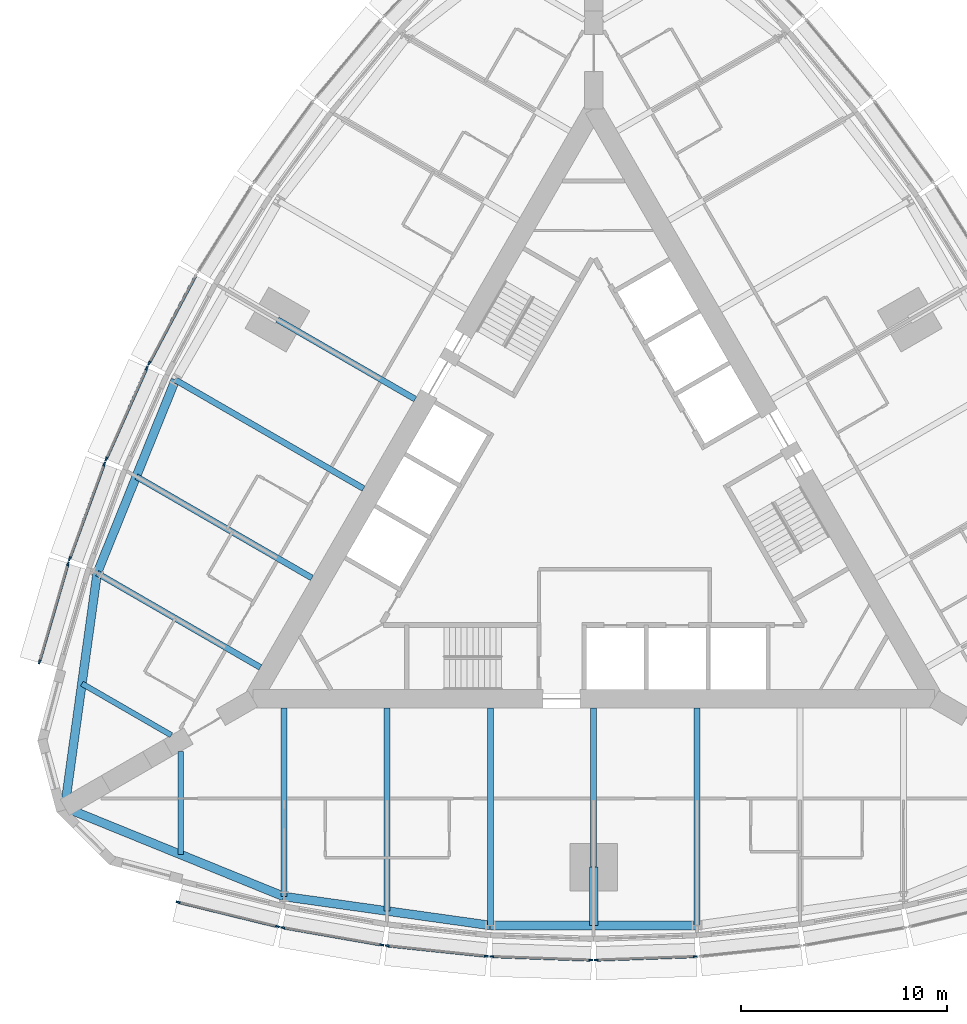
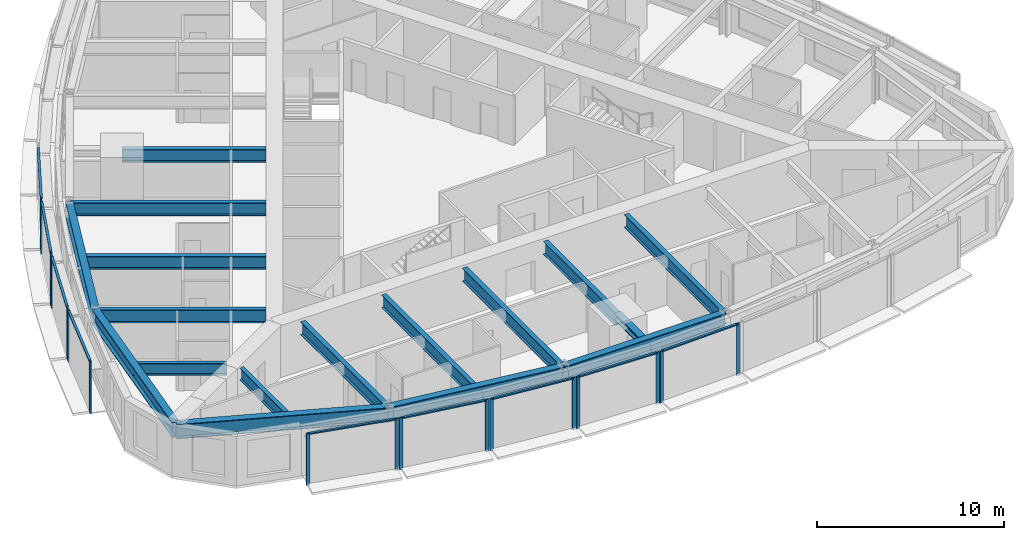
# One storey, part 2 of 14: 26 members, 17 beams, 9 elements without a shape of their own.
"""IFC4 building model written with IfcOpenShell, lengths in metres."""

import ifcopenshell
import ifcopenshell.guid

model = None  # the IFC model being written
_history = None  # IfcOwnerHistory: only IFC2X3 demands one
_inside = {}  # id of a spatial element -> (the spatial element, [elements in it])
_under = {}  # id of a project, library or spatial element -> (it, [spatial elements below it])
_declared = {}  # id of a project -> (the project, [libraries it declares])
_typed = {}  # id of a type object -> (the type object, [elements of that type])
_made_of = {}  # id of a material, layer set ... -> (it, [elements and type objects made of it])


def new_model(schema):
    """Start an empty IFC model of exactly this schema.

    Asked for "IFC4X3", IfcOpenShell would pick the latest addendum, in which some entities
    have other attributes; the version numbers below select the first issue.
    IFC2X3 requires an IfcOwnerHistory on every rooted entity: one is made here for all.
    """
    global model, _history
    if schema == "IFC4X3":
        model = ifcopenshell.file(schema_version=(4, 3, 0, 0))
    else:
        model = ifcopenshell.file(schema=schema)
    _inside.clear()
    _under.clear()
    _declared.clear()
    _typed.clear()
    _made_of.clear()
    _history = None
    if model.schema == "IFC2X3":
        org = make("IfcOrganization", Name="unknown")
        user = make(
            "IfcPersonAndOrganization",
            ThePerson=make("IfcPerson", FamilyName="unknown"),
            TheOrganization=org,
        )
        app = make(
            "IfcApplication",
            ApplicationDeveloper=org,
            Version="unknown",
            ApplicationFullName="unknown",
            ApplicationIdentifier="unknown",
        )
        _history = make(
            "IfcOwnerHistory",
            OwningUser=user,
            OwningApplication=app,
            ChangeAction="ADDED",
            CreationDate=0,
        )
    return model


def make(cls, **values):
    """One entity of the class cls with the attributes given. An attribute that is None is left unset."""
    return model.create_entity(
        cls, **{name: value for name, value in values.items() if value is not None}
    )


def rooted(cls, **values):
    """An entity with a GlobalId (a new one), such as an element, a storey or a relation."""
    return make(cls, GlobalId=ifcopenshell.guid.new(), OwnerHistory=_history, **values)


def si_unit(unit_type, name, prefix=None):
    """IfcSIUnit, for example si_unit("LENGTHUNIT", "METRE", prefix="MILLI")."""
    return make("IfcSIUnit", UnitType=unit_type, Prefix=prefix, Name=name)


def assignment(units):
    """IfcUnitAssignment: the units of a project."""
    return None if units is None else make("IfcUnitAssignment", Units=units)


def point(xyz):
    """IfcCartesianPoint."""
    return None if xyz is None else make("IfcCartesianPoint", Coordinates=xyz)


def direction(xyz):
    """IfcDirection."""
    return None if xyz is None else make("IfcDirection", DirectionRatios=xyz)


def frame(location, z_axis=None, x_axis=None):
    """IfcAxis2Placement3D, a coordinate frame: its origin and axes. An axis left out is left unset."""
    return make(
        "IfcAxis2Placement3D",
        Location=point(location),
        Axis=direction(z_axis),
        RefDirection=direction(x_axis),
    )


def frame_2d(location, x_axis=None):
    """IfcAxis2Placement2D, a coordinate frame in the plane: its origin and x axis."""
    return make(
        "IfcAxis2Placement2D", Location=point(location), RefDirection=direction(x_axis)
    )


def origin():
    """The frame at (0, 0, 0) with its axes left unset."""
    return frame((0.0, 0.0, 0.0))


def origin_2d():
    """The frame at (0, 0) in the plane with its x axis left unset."""
    return frame_2d((0.0, 0.0))


def place(relative_to, where):
    """IfcLocalPlacement: puts the frame where relative to a parent placement (None: the world)."""
    return make(
        "IfcLocalPlacement", PlacementRelTo=relative_to, RelativePlacement=where
    )


def context(
    kind, dimensions, precision=None, world=None, true_north=None, identifier=None
):
    """IfcGeometricRepresentationContext, for example the 3D "Model" context."""
    return make(
        "IfcGeometricRepresentationContext",
        ContextIdentifier=identifier,
        ContextType=kind,
        CoordinateSpaceDimension=dimensions,
        Precision=precision,
        WorldCoordinateSystem=world,
        TrueNorth=true_north,
    )


def subcontext(parent, identifier, kind, view, scale=None):
    """IfcGeometricRepresentationSubContext, for example "Body" below "Model"."""
    return make(
        "IfcGeometricRepresentationSubContext",
        ContextIdentifier=identifier,
        ContextType=kind,
        ParentContext=parent,
        TargetScale=scale,
        TargetView=view,
    )


def project(units=None, contexts=None):
    """IfcProject with its units and contexts."""
    return rooted(
        "IfcProject",
        Name="project",
        RepresentationContexts=contexts,
        UnitsInContext=assignment(units),
    )


def spatial(cls, under=None, at=None, **own):
    """A site, building, storey or space (cls), placed at a placement, below another one or the project."""
    s = rooted(cls, ObjectPlacement=at, **own)
    if under is not None:
        _under.setdefault(under.id(), (under, []))[1].append(s)
    return s


def profile(cls, at=None, kind="AREA", **sizes):
    """A parametric profile (cls). Its sizes go by their IFC names, for example OverallWidth=200.0."""
    return make(cls, ProfileType=kind, Position=at, **sizes)


def rectangle(**sizes):
    """IfcRectangleProfileDef."""
    return profile("IfcRectangleProfileDef", **sizes)


def i_section(**sizes):
    """IfcIShapeProfileDef."""
    return profile("IfcIShapeProfileDef", **sizes)


def extrude(swept, where, along, depth):
    """IfcExtrudedAreaSolid: the profile swept, set in the frame where, extruded along a direction by depth."""
    return make(
        "IfcExtrudedAreaSolid",
        SweptArea=swept,
        Position=where,
        ExtrudedDirection=direction(along),
        Depth=depth,
    )


def shape(context_of_items, identifier, shape_type, items):
    """IfcShapeRepresentation: the items that make up one representation, for example the "Body"."""
    return make(
        "IfcShapeRepresentation",
        ContextOfItems=context_of_items,
        RepresentationIdentifier=identifier,
        RepresentationType=shape_type,
        Items=items,
    )


def material(Name=None, Category=None):
    """IfcMaterial."""
    return make("IfcMaterial", Name=Name, Category=Category)


def material_profile(
    of_material, cross_section, Name=None, Category=None, Priority=None
):
    """IfcMaterialProfile: a cross section and its material."""
    return make(
        "IfcMaterialProfile",
        Name=Name,
        Material=of_material,
        Profile=cross_section,
        Priority=Priority,
        Category=Category,
    )


def profile_set(profiles, Name=None, composite=None):
    """IfcMaterialProfileSet."""
    return make(
        "IfcMaterialProfileSet",
        Name=Name,
        MaterialProfiles=profiles,
        CompositeProfile=composite,
    )


def made_of(thing, what):
    """Note that an element or type object is made of a material, layer set ...; save() writes the relation."""
    if what is not None:
        _made_of.setdefault(what.id(), (what, []))[1].append(thing)
    return thing


def type_object(cls, material=None, **own):
    """A type object (cls), such as IfcWallType, which elements share."""
    return made_of(rooted(cls, **own), material)


def element(
    cls,
    number,
    at=None,
    inside=None,
    cuts=None,
    type_object=None,
    material=None,
    context=None,
    identifier="Body",
    shape_type=None,
    held_by="IfcProductDefinitionShape",
    body=None,
    shapes=None,
    **own,
):
    """One element of the class cls, such as IfcWall. Its Tag is "e" and its number.

    at: its placement. inside: the storey or other place that contains it. cuts: it is an
    opening in that element (IfcRelVoidsElement). A single representation is given by context,
    identifier, shape_type and body (its items); several are given by shapes. held_by: the class
    of the entity that holds the representations. save() writes the other relations.
    """
    e = rooted(cls, Tag="e%d" % number, ObjectPlacement=at, **own)
    if body is not None:
        shapes = [shape(context, identifier, shape_type, body)]
    if shapes is not None:
        e.Representation = make(held_by, Representations=shapes)
    if inside is not None:
        _inside.setdefault(inside.id(), (inside, []))[1].append(e)
    if cuts is not None:
        rooted(
            "IfcRelVoidsElement", RelatingBuildingElement=cuts, RelatedOpeningElement=e
        )
    if type_object is not None:
        _typed.setdefault(type_object.id(), (type_object, []))[1].append(e)
    return made_of(e, material)


def aggregate(whole, parts):
    """IfcRelAggregates: a whole, such as a stair, and the parts it consists of."""
    return rooted("IfcRelAggregates", RelatingObject=whole, RelatedObjects=parts)


def save(model, path):
    """Write the relations noted so far, then the file.

    IfcRelAggregates (storeys below a building ...), IfcRelContainedInSpatialStructure (elements
    in a storey), IfcRelDefinesByType, IfcRelAssociatesMaterial and IfcRelDeclares: one each for
    every whole, place, type object, material and project.
    """
    for whole, parts in _under.values():
        aggregate(whole, parts)
    for where, things in _inside.values():
        rooted(
            "IfcRelContainedInSpatialStructure",
            RelatedElements=things,
            RelatingStructure=where,
        )
    for kind, things in _typed.values():
        rooted("IfcRelDefinesByType", RelatedObjects=things, RelatingType=kind)
    for what, things in _made_of.values():
        rooted("IfcRelAssociatesMaterial", RelatedObjects=things, RelatingMaterial=what)
    for by, libraries in _declared.values():
        rooted("IfcRelDeclares", RelatingContext=by, RelatedDefinitions=libraries)
    model.write(path)


model = new_model("IFC4")

# Units and contexts
model_context = context("Model", 3, precision=1e-05, world=origin(), true_north=direction((0.0, 1.0)))
body_context = subcontext(model_context, "Body", "Model", "MODEL_VIEW")
ifc_project = project(units=[si_unit("LENGTHUNIT", "METRE"), si_unit("AREAUNIT", "SQUARE_METRE"), si_unit("VOLUMEUNIT", "CUBIC_METRE"), si_unit("PLANEANGLEUNIT", "RADIAN"), si_unit("MASSUNIT", "GRAM", prefix="KILO")], contexts=[model_context])

# Site, building, storey
site_placement = place(None, origin())
site = spatial("IfcSite", under=ifc_project, at=site_placement, CompositionType="ELEMENT")
building_placement = place(site_placement, origin())
building = spatial("IfcBuilding", under=site, at=building_placement, Name="Trikona Tower", CompositionType="ELEMENT")
storey_placement = place(building_placement, frame((0.0, 0.0, 162.300048828125)))
storey = spatial("IfcBuildingStorey", under=building, at=storey_placement, Name="L43", CompositionType="ELEMENT", Elevation=162.300048828125)

# Curtain wall, members
ifc_material_1 = material(Name="Aluminium curtain wall system", Category="aluminium")
curtain_wall_type = type_object("IfcCurtainWallType", Name="Curtain wall DS2", PredefinedType="NOTDEFINED", material=ifc_material_1)
curtain_wall_1_placement = place(storey_placement, origin())
curtain_wall_1 = element("IfcCurtainWall", 1, at=curtain_wall_1_placement, inside=storey, type_object=curtain_wall_type, Name="Curtain wall DS2 L43", PredefinedType="NOTDEFINED")
ifc_material_2 = material(Name="Aluminium mullion, pale anodised", Category="aluminium")
ifc_material_profile_1 = material_profile(ifc_material_2, rectangle(XDim=0.080078125, YDim=0.199951171875, at=origin_2d()), Name="MUL-DS2")
ifc_profile_set_1 = profile_set([ifc_material_profile_1], Name="Aluminium mullion, pale anodised")
member_type_1 = type_object("IfcMemberType", Name="Mullion DS2 80x200", PredefinedType="MULLION", material=ifc_profile_set_1)
member_1_placement = place(storey_placement, frame((-20.116943359375, -19.373046875, 0.0), z_axis=(0.0, 0.0, 1.0), x_axis=(0.237970204243, 0.971272455026, 0.0)))
member_1 = element("IfcMember", 2, at=member_1_placement, type_object=member_type_1, Name="CW-DS2 mullion 1", PredefinedType="MULLION", context=body_context, shape_type="SweptSolid", body=[
    extrude(rectangle(XDim=0.080078125, YDim=0.199951171875, at=origin_2d()), origin(), (0.0, 0.0, 1.0), 3.39990234375),
])
member_2_placement = place(storey_placement, frame((-15.311279296875, -20.550537109375, 0.0), z_axis=(0.0, 0.0, 1.0), x_axis=(0.237970204243, 0.971272455026, 0.0)))
member_2 = element("IfcMember", 3, at=member_2_placement, type_object=member_type_1, Name="CW-DS2 mullion 2", PredefinedType="MULLION", context=body_context, shape_type="SweptSolid", body=[
    extrude(rectangle(XDim=0.080078125, YDim=0.199951171875, at=origin_2d()), origin(), (0.0, 0.0, 1.0), 3.39990234375),
])

curtain_wall_2_placement = place(storey_placement, origin())
curtain_wall_2 = element("IfcCurtainWall", 4, at=curtain_wall_2_placement, inside=storey, type_object=curtain_wall_type, Name="Curtain wall DS2 L43", PredefinedType="NOTDEFINED")
member_3_placement = place(storey_placement, frame((-15.056640625, -20.60400390625, 0.0), z_axis=(0.0, 0.0, 1.0), x_axis=(0.17237739505, 0.985030981074, 0.0)))
member_3 = element("IfcMember", 5, at=member_3_placement, type_object=member_type_1, Name="CW-DS2 mullion 1", PredefinedType="MULLION", context=body_context, shape_type="SweptSolid", body=[
    extrude(rectangle(XDim=0.080078125, YDim=0.199951171875, at=origin_2d()), origin(), (0.0, 0.0, 1.0), 3.39990234375),
])
member_4_placement = place(storey_placement, frame((-10.253662109375, -21.444580078125, 0.0), z_axis=(0.0, 0.0, 1.0), x_axis=(0.17237739505, 0.985030981074, 0.0)))
member_4 = element("IfcMember", 6, at=member_4_placement, type_object=member_type_1, Name="CW-DS2 mullion 2", PredefinedType="MULLION", context=body_context, shape_type="SweptSolid", body=[
    extrude(rectangle(XDim=0.080078125, YDim=0.199951171875, at=origin_2d()), origin(), (0.0, 0.0, 1.0), 3.39990234375),
])

curtain_wall_3_placement = place(storey_placement, origin())
curtain_wall_3 = element("IfcCurtainWall", 7, at=curtain_wall_3_placement, inside=storey, type_object=curtain_wall_type, Name="Curtain wall DS2 L43", PredefinedType="NOTDEFINED")
member_5_placement = place(storey_placement, frame((-9.99462890625, -21.480712890625, 0.0), z_axis=(0.0, 0.0, 1.0), x_axis=(0.104433387357, 0.994531883654, 0.0)))
member_5 = element("IfcMember", 8, at=member_5_placement, type_object=member_type_1, Name="CW-DS2 mullion 1", PredefinedType="MULLION", context=body_context, shape_type="SweptSolid", body=[
    extrude(rectangle(XDim=0.080078125, YDim=0.199951171875, at=origin_2d()), origin(), (0.0, 0.0, 1.0), 3.39990234375),
])
member_6_placement = place(storey_placement, frame((-5.193359375, -21.98486328125, 0.0), z_axis=(0.0, 0.0, 1.0), x_axis=(0.104433387357, 0.994531883654, 0.0)))
member_6 = element("IfcMember", 9, at=member_6_placement, type_object=member_type_1, Name="CW-DS2 mullion 2", PredefinedType="MULLION", context=body_context, shape_type="SweptSolid", body=[
    extrude(rectangle(XDim=0.080078125, YDim=0.199951171875, at=origin_2d()), origin(), (0.0, 0.0, 1.0), 3.39990234375),
])

curtain_wall_4_placement = place(storey_placement, origin())
curtain_wall_4 = element("IfcCurtainWall", 10, at=curtain_wall_4_placement, inside=storey, type_object=curtain_wall_type, Name="Curtain wall DS2 L43", PredefinedType="NOTDEFINED")
member_7_placement = place(storey_placement, frame((-4.931640625, -22.003173828125, 0.0), z_axis=(0.0, 0.0, 1.0), x_axis=(0.034998320052, 0.99938737114, 0.0)))
member_7 = element("IfcMember", 11, at=member_7_placement, type_object=member_type_1, Name="CW-DS2 mullion 1", PredefinedType="MULLION", context=body_context, shape_type="SweptSolid", body=[
    extrude(rectangle(XDim=0.080078125, YDim=0.199951171875, at=origin_2d()), origin(), (0.0, 0.0, 1.0), 3.39990234375),
])
member_8_placement = place(storey_placement, frame((-0.13134765625, -22.171142578125, 0.0), z_axis=(0.0, 0.0, 1.0), x_axis=(0.034998320052, 0.99938737114, 0.0)))
member_8 = element("IfcMember", 12, at=member_8_placement, type_object=member_type_1, Name="CW-DS2 mullion 2", PredefinedType="MULLION", context=body_context, shape_type="SweptSolid", body=[
    extrude(rectangle(XDim=0.080078125, YDim=0.199951171875, at=origin_2d()), origin(), (0.0, 0.0, 1.0), 3.39990234375),
])

curtain_wall_5_placement = place(storey_placement, origin())
curtain_wall_5 = element("IfcCurtainWall", 13, at=curtain_wall_5_placement, inside=storey, type_object=curtain_wall_type, Name="Curtain wall DS2 L43", PredefinedType="NOTDEFINED")
member_9_placement = place(storey_placement, frame((0.13134765625, -22.171142578125, 0.0), z_axis=(0.0, 0.0, 1.0), x_axis=(-0.034998320052, 0.99938737114, 0.0)))
member_9 = element("IfcMember", 14, at=member_9_placement, type_object=member_type_1, Name="CW-DS2 mullion 1", PredefinedType="MULLION", context=body_context, shape_type="SweptSolid", body=[
    extrude(rectangle(XDim=0.080078125, YDim=0.199951171875, at=origin_2d()), origin(), (0.0, 0.0, 1.0), 3.39990234375),
])
member_10_placement = place(storey_placement, frame((4.931640625, -22.003173828125, 0.0), z_axis=(0.0, 0.0, 1.0), x_axis=(-0.034998320052, 0.99938737114, 0.0)))
member_10 = element("IfcMember", 15, at=member_10_placement, type_object=member_type_1, Name="CW-DS2 mullion 2", PredefinedType="MULLION", context=body_context, shape_type="SweptSolid", body=[
    extrude(rectangle(XDim=0.080078125, YDim=0.199951171875, at=origin_2d()), origin(), (0.0, 0.0, 1.0), 3.39990234375),
])

# Curtain wall, member
curtain_wall_6_placement = place(storey_placement, origin())
curtain_wall_6 = element("IfcCurtainWall", 16, at=curtain_wall_6_placement, inside=storey, type_object=curtain_wall_type, Name="Curtain wall DS2 L43", PredefinedType="NOTDEFINED")
member_11_placement = place(storey_placement, frame((-21.52099609375, 6.730712890625, 0.0), z_axis=(0.0, 0.0, 1.0), x_axis=(0.882996107343, -0.469380308937, 0.0)))
member_11 = element("IfcMember", 17, at=member_11_placement, type_object=member_type_1, Name="CW-DS2 mullion 2", PredefinedType="MULLION", context=body_context, shape_type="SweptSolid", body=[
    extrude(rectangle(XDim=0.080078125, YDim=0.199951171875, at=origin_2d()), origin(), (0.0, 0.0, 1.0), 3.39990234375),
])

# Curtain wall, members
curtain_wall_7_placement = place(storey_placement, origin())
curtain_wall_7 = element("IfcCurtainWall", 18, at=curtain_wall_7_placement, inside=storey, type_object=curtain_wall_type, Name="Curtain wall DS2 L43", PredefinedType="NOTDEFINED")
member_12_placement = place(storey_placement, frame((-21.63623046875, 6.494873046875, 0.0), z_axis=(0.0, 0.0, 1.0), x_axis=(0.913501208767, -0.406836013132, 0.0)))
member_12 = element("IfcMember", 19, at=member_12_placement, type_object=member_type_1, Name="CW-DS2 mullion 1", PredefinedType="MULLION", context=body_context, shape_type="SweptSolid", body=[
    extrude(rectangle(XDim=0.080078125, YDim=0.199951171875, at=origin_2d()), origin(), (0.0, 0.0, 1.0), 3.39990234375),
])
member_13_placement = place(storey_placement, frame((-23.60009765625, 2.0849609375, 0.0), z_axis=(0.0, 0.0, 1.0), x_axis=(0.913501208767, -0.406836013132, 0.0)))
member_13 = element("IfcMember", 20, at=member_13_placement, type_object=member_type_1, Name="CW-DS2 mullion 2", PredefinedType="MULLION", context=body_context, shape_type="SweptSolid", body=[
    extrude(rectangle(XDim=0.080078125, YDim=0.199951171875, at=origin_2d()), origin(), (0.0, 0.0, 1.0), 3.39990234375),
])

curtain_wall_8_placement = place(storey_placement, origin())
curtain_wall_8 = element("IfcCurtainWall", 21, at=curtain_wall_8_placement, inside=storey, type_object=curtain_wall_type, Name="Curtain wall DS2 L43", PredefinedType="NOTDEFINED")
member_14_placement = place(storey_placement, frame((-23.6982421875, 1.84228515625, 0.0), z_axis=(0.0, 0.0, 1.0), x_axis=(0.939253790978, -0.343223420143, 0.0)))
member_14 = element("IfcMember", 22, at=member_14_placement, type_object=member_type_1, Name="CW-DS2 mullion 1", PredefinedType="MULLION", context=body_context, shape_type="SweptSolid", body=[
    extrude(rectangle(XDim=0.080078125, YDim=0.199951171875, at=origin_2d()), origin(), (0.0, 0.0, 1.0), 3.39990234375),
])
member_15_placement = place(storey_placement, frame((-25.371826171875, -2.737548828125, 0.0), z_axis=(0.0, 0.0, 1.0), x_axis=(0.939253790978, -0.343223420143, 0.0)))
member_15 = element("IfcMember", 23, at=member_15_placement, type_object=member_type_1, Name="CW-DS2 mullion 2", PredefinedType="MULLION", context=body_context, shape_type="SweptSolid", body=[
    extrude(rectangle(XDim=0.080078125, YDim=0.199951171875, at=origin_2d()), origin(), (0.0, 0.0, 1.0), 3.39990234375),
])

curtain_wall_9_placement = place(storey_placement, origin())
curtain_wall_9 = element("IfcCurtainWall", 24, at=curtain_wall_9_placement, inside=storey, type_object=curtain_wall_type, Name="Curtain wall DS2 L43", PredefinedType="NOTDEFINED")
member_16_placement = place(storey_placement, frame((-25.452880859375, -2.984619140625, 0.0), z_axis=(0.0, 0.0, 1.0), x_axis=(0.96013310152, -0.279543247757, 0.0)))
member_16 = element("IfcMember", 25, at=member_16_placement, type_object=member_type_1, Name="CW-DS2 mullion 1", PredefinedType="MULLION", context=body_context, shape_type="SweptSolid", body=[
    extrude(rectangle(XDim=0.080078125, YDim=0.199951171875, at=origin_2d()), origin(), (0.0, 0.0, 1.0), 3.39990234375),
])
member_17_placement = place(storey_placement, frame((-26.836181640625, -7.7353515625, 0.0), z_axis=(0.0, 0.0, 1.0), x_axis=(0.96013310152, -0.279543247757, 0.0)))
member_17 = element("IfcMember", 26, at=member_17_placement, type_object=member_type_1, Name="CW-DS2 mullion 2", PredefinedType="MULLION", context=body_context, shape_type="SweptSolid", body=[
    extrude(rectangle(XDim=0.080078125, YDim=0.199951171875, at=origin_2d()), origin(), (0.0, 0.0, 1.0), 3.39990234375),
])

# Beams
ifc_material_3 = material(Name="Steel ASTM A992 Grade 50", Category="steel")
ifc_material_profile_2 = material_profile(ifc_material_3, i_section(OverallWidth=0.419189453125, OverallDepth=0.45458984375, WebThickness=0.042236328125, FlangeThickness=0.067626953125, at=origin_2d()), Name="W14X370")
ifc_profile_set_2 = profile_set([ifc_material_profile_2], Name="Steel ASTM A992 Grade 50")
beam_type_1 = type_object("IfcBeamType", Name="Steel beam W14x370 (apex bracket)", PredefinedType="BEAM", material=ifc_profile_set_2)
beam_1_placement = place(storey_placement, frame((0.0, -17.680419921875, 3.007568359375), z_axis=(0.0, -1.0, 0.0), x_axis=(1.0, 0.0, 0.0)))
element("IfcBeam", 27, at=beam_1_placement, inside=storey, type_object=beam_type_1, Name="Cantilever bracket L44 F1", PredefinedType="BEAM", context=body_context, shape_type="SweptSolid", body=[
    extrude(i_section(OverallWidth=0.419189453125, OverallDepth=0.45458984375, WebThickness=0.042236328125, FlangeThickness=0.067626953125, at=origin_2d()), origin(), (0.0, 0.0, 1.0), 2.81982421875),
])
ifc_material_4 = material(Name="Steel ASTM A992 Grade 50", Category="steel")
ifc_material_profile_3 = material_profile(ifc_material_4, i_section(OverallWidth=0.2666015625, OverallDepth=0.76953125, WebThickness=0.015625, FlangeThickness=0.025390625, at=origin_2d()), Name="W30X132")
ifc_profile_set_3 = profile_set([ifc_material_profile_3], Name="Steel ASTM A992 Grade 50")
beam_type_2 = type_object("IfcBeamType", Name="Steel beam W30x132 (wedge)", PredefinedType="BEAM", material=ifc_profile_set_3)
beam_2_placement = place(storey_placement, frame((-20.0, -12.066650390625, 2.85009765625), z_axis=(0.0, -1.0, 0.0), x_axis=(1.0, 0.0, 0.0)))
element("IfcBeam", 28, at=beam_2_placement, inside=storey, type_object=beam_type_2, Name="Floor beam L44 F1 u-20", PredefinedType="BEAM", context=body_context, shape_type="SweptSolid", body=[
    extrude(i_section(OverallWidth=0.2666015625, OverallDepth=0.76953125, WebThickness=0.015625, FlangeThickness=0.025390625, at=origin_2d()), origin(), (0.0, 0.0, 1.0), 5.00048828125),
])
beam_3_placement = place(storey_placement, frame((-20.449951171875, -11.287109375, 2.85009765625), z_axis=(-0.866038434829, 0.49997742889, 0.0), x_axis=(-0.49997742889, -0.866038434829, 0.0)))
element("IfcBeam", 29, at=beam_3_placement, inside=storey, type_object=beam_type_2, Name="Floor beam L44 F3 u20", PredefinedType="BEAM", context=body_context, shape_type="SweptSolid", body=[
    extrude(i_section(OverallWidth=0.2666015625, OverallDepth=0.76953125, WebThickness=0.015625, FlangeThickness=0.025390625, at=origin_2d()), origin(), (0.0, 0.0, 1.0), 5.000732421875),
])
ifc_material_5 = material(Name="Steel ASTM A992 Grade 50", Category="steel")
ifc_material_profile_4 = material_profile(ifc_material_5, i_section(OverallWidth=0.2919921875, OverallDepth=0.845703125, WebThickness=0.015380859375, FlangeThickness=0.0244140625, at=origin_2d()), Name="W33X141")
ifc_profile_set_4 = profile_set([ifc_material_profile_4], Name="Steel ASTM A992 Grade 50")
beam_type_3 = type_object("IfcBeamType", Name="Steel beam W33x141 (radial typ)", PredefinedType="BEAM", material=ifc_profile_set_4)
beam_4_placement = place(storey_placement, frame((-15.0, -9.976318359375, 2.81201171875), z_axis=(0.0, -1.0, 0.0), x_axis=(1.0, 0.0, 0.0)))
element("IfcBeam", 30, at=beam_4_placement, inside=storey, type_object=beam_type_3, Name="Floor beam L44 F1 u-15", PredefinedType="BEAM", context=body_context, shape_type="SweptSolid", body=[
    extrude(i_section(OverallWidth=0.2919921875, OverallDepth=0.845703125, WebThickness=0.015380859375, FlangeThickness=0.0244140625, at=origin_2d()), origin(), (0.0, 0.0, 1.0), 9.123779296875),
])
beam_5_placement = place(storey_placement, frame((-10.0, -9.976318359375, 2.81201171875), z_axis=(0.0, -1.0, 0.0), x_axis=(1.0, 0.0, 0.0)))
element("IfcBeam", 31, at=beam_5_placement, inside=storey, type_object=beam_type_3, Name="Floor beam L44 F1 u-10", PredefinedType="BEAM", context=body_context, shape_type="SweptSolid", body=[
    extrude(i_section(OverallWidth=0.2919921875, OverallDepth=0.845703125, WebThickness=0.015380859375, FlangeThickness=0.0244140625, at=origin_2d()), origin(), (0.0, 0.0, 1.0), 9.823974609375),
])
beam_6_placement = place(storey_placement, frame((-5.0, -9.976318359375, 2.81201171875), z_axis=(0.0, -1.0, 0.0), x_axis=(1.0, 0.0, 0.0)))
element("IfcBeam", 32, at=beam_6_placement, inside=storey, type_object=beam_type_3, Name="Floor beam L44 F1 u-5", PredefinedType="BEAM", context=body_context, shape_type="SweptSolid", body=[
    extrude(i_section(OverallWidth=0.2919921875, OverallDepth=0.845703125, WebThickness=0.015380859375, FlangeThickness=0.0244140625, at=origin_2d()), origin(), (0.0, 0.0, 1.0), 10.52392578125),
])
beam_7_placement = place(storey_placement, frame((0.0, -9.976318359375, 2.81201171875), z_axis=(0.0, -1.0, 0.0), x_axis=(1.0, 0.0, 0.0)))
element("IfcBeam", 33, at=beam_7_placement, inside=storey, type_object=beam_type_3, Name="Floor beam L44 F1 u0", PredefinedType="BEAM", context=body_context, shape_type="SweptSolid", body=[
    extrude(i_section(OverallWidth=0.2919921875, OverallDepth=0.845703125, WebThickness=0.015380859375, FlangeThickness=0.0244140625, at=origin_2d()), origin(), (0.0, 0.0, 1.0), 7.7041015625),
])
beam_8_placement = place(storey_placement, frame((5.0, -9.976318359375, 2.81201171875), z_axis=(0.0, -1.0, 0.0), x_axis=(1.0, 0.0, 0.0)))
element("IfcBeam", 34, at=beam_8_placement, inside=storey, type_object=beam_type_3, Name="Floor beam L44 F1 u5", PredefinedType="BEAM", context=body_context, shape_type="SweptSolid", body=[
    extrude(i_section(OverallWidth=0.2919921875, OverallDepth=0.845703125, WebThickness=0.015380859375, FlangeThickness=0.0244140625, at=origin_2d()), origin(), (0.0, 0.0, 1.0), 10.52392578125),
])
beam_9_placement = place(storey_placement, frame((-8.6396484375, 4.988037109375, 2.81201171875), z_axis=(-0.866017246294, 0.500014128921, 0.0), x_axis=(-0.500014128921, -0.866017246294, 0.0)))
element("IfcBeam", 35, at=beam_9_placement, inside=storey, type_object=beam_type_3, Name="Floor beam L44 F3 u0", PredefinedType="BEAM", context=body_context, shape_type="SweptSolid", body=[
    extrude(i_section(OverallWidth=0.2919921875, OverallDepth=0.845703125, WebThickness=0.015380859375, FlangeThickness=0.0244140625, at=origin_2d()), origin(), (0.0, 0.0, 1.0), 7.704345703125),
])
beam_10_placement = place(storey_placement, frame((-11.1396484375, 0.657958984375, 2.81201171875), z_axis=(-0.866026035623, 0.499998905622, 0.0), x_axis=(-0.499998905622, -0.866026035623, 0.0)))
element("IfcBeam", 36, at=beam_10_placement, inside=storey, type_object=beam_type_3, Name="Floor beam L44 F3 u5", PredefinedType="BEAM", context=body_context, shape_type="SweptSolid", body=[
    extrude(i_section(OverallWidth=0.2919921875, OverallDepth=0.845703125, WebThickness=0.015380859375, FlangeThickness=0.0244140625, at=origin_2d()), origin(), (0.0, 0.0, 1.0), 10.52392578125),
])
beam_11_placement = place(storey_placement, frame((-13.6396484375, -3.672119140625, 2.81201171875), z_axis=(-0.866020046725, 0.500009278584, 0.0), x_axis=(-0.500009278584, -0.866020046725, 0.0)))
element("IfcBeam", 37, at=beam_11_placement, inside=storey, type_object=beam_type_3, Name="Floor beam L44 F3 u10", PredefinedType="BEAM", context=body_context, shape_type="SweptSolid", body=[
    extrude(i_section(OverallWidth=0.2919921875, OverallDepth=0.845703125, WebThickness=0.015380859375, FlangeThickness=0.0244140625, at=origin_2d()), origin(), (0.0, 0.0, 1.0), 9.823974609375),
])
beam_12_placement = place(storey_placement, frame((-16.1396484375, -8.002197265625, 2.81201171875), z_axis=(-0.866024725532, 0.500001174766, 0.0), x_axis=(-0.500001174766, -0.866024725532, 0.0)))
element("IfcBeam", 38, at=beam_12_placement, inside=storey, type_object=beam_type_3, Name="Floor beam L44 F3 u15", PredefinedType="BEAM", context=body_context, shape_type="SweptSolid", body=[
    extrude(i_section(OverallWidth=0.2919921875, OverallDepth=0.845703125, WebThickness=0.015380859375, FlangeThickness=0.0244140625, at=origin_2d()), origin(), (0.0, 0.0, 1.0), 9.1240234375),
])
ifc_material_6 = material(Name="Steel ASTM A992 Grade 50", Category="steel")
ifc_material_profile_5 = material_profile(ifc_material_6, i_section(OverallWidth=0.424072265625, OverallDepth=0.947509765625, WebThickness=0.02392578125, FlangeThickness=0.042724609375, at=origin_2d()), Name="W36X302")
ifc_profile_set_5 = profile_set([ifc_material_profile_5], Name="Steel ASTM A992 Grade 50")
beam_type_4 = type_object("IfcBeamType", Name="Steel beam W36x302 (spandrel)", PredefinedType="SPANDREL", material=ifc_profile_set_5)
beam_13_placement = place(storey_placement, frame((-25.6103515625, -14.7861328125, 2.76123046875), z_axis=(0.926359695662, -0.376640032728, 0.0), x_axis=(0.376640032728, 0.926359695662, 0.0)))
element("IfcBeam", 39, at=beam_13_placement, inside=storey, type_object=beam_type_4, Name="Spandrel beam L44 F1-1", PredefinedType="SPANDREL", context=body_context, shape_type="SweptSolid", body=[
    extrude(i_section(OverallWidth=0.424072265625, OverallDepth=0.947509765625, WebThickness=0.02392578125, FlangeThickness=0.042724609375, at=origin_2d()), origin(), (0.0, 0.0, 1.0), 11.453857421875),
])
beam_14_placement = place(storey_placement, frame((-15.0, -19.10009765625, 2.76123046875), z_axis=(0.990339754644, -0.13866207258, 0.0), x_axis=(0.13866207258, 0.990339754644, 0.0)))
element("IfcBeam", 40, at=beam_14_placement, inside=storey, type_object=beam_type_4, Name="Spandrel beam L44 F1-2", PredefinedType="SPANDREL", context=body_context, shape_type="SweptSolid", body=[
    extrude(i_section(OverallWidth=0.424072265625, OverallDepth=0.947509765625, WebThickness=0.02392578125, FlangeThickness=0.042724609375, at=origin_2d()), origin(), (0.0, 0.0, 1.0), 10.09765625),
])
beam_15_placement = place(storey_placement, frame((-5.0, -20.500244140625, 2.76123046875), z_axis=(1.0, 0.0, 0.0), x_axis=(0.0, 1.0, 0.0)))
element("IfcBeam", 41, at=beam_15_placement, inside=storey, type_object=beam_type_4, Name="Spandrel beam L44 F1-3", PredefinedType="SPANDREL", context=body_context, shape_type="SweptSolid", body=[
    extrude(i_section(OverallWidth=0.424072265625, OverallDepth=0.947509765625, WebThickness=0.02392578125, FlangeThickness=0.042724609375, at=origin_2d()), origin(), (0.0, 0.0, 1.0), 10.0),
])
beam_16_placement = place(storey_placement, frame((-20.253662109375, 5.919921875, 2.76123046875), z_axis=(-0.375106193787, -0.926981846307, 0.0), x_axis=(0.926981846307, -0.375106193787, 0.0)))
element("IfcBeam", 42, at=beam_16_placement, inside=storey, type_object=beam_type_4, Name="Spandrel beam L44 F3-4", PredefinedType="SPANDREL", context=body_context, shape_type="SweptSolid", body=[
    extrude(i_section(OverallWidth=0.424072265625, OverallDepth=0.947509765625, WebThickness=0.02392578125, FlangeThickness=0.042724609375, at=origin_2d()), origin(), (0.0, 0.0, 1.0), 10.097412109375),
])
beam_17_placement = place(storey_placement, frame((-24.041259765625, -3.440185546875, 2.76123046875), z_axis=(-0.136991535842, -0.990572218017, 0.0), x_axis=(0.990572218017, -0.136991535842, 0.0)))
element("IfcBeam", 43, at=beam_17_placement, inside=storey, type_object=beam_type_4, Name="Spandrel beam L44 F3-5", PredefinedType="SPANDREL", context=body_context, shape_type="SweptSolid", body=[
    extrude(i_section(OverallWidth=0.424072265625, OverallDepth=0.947509765625, WebThickness=0.02392578125, FlangeThickness=0.042724609375, at=origin_2d()), origin(), (0.0, 0.0, 1.0), 11.453857421875),
])

# Member
ifc_material_7 = material(Name="Aluminium transom, pale anodised", Category="aluminium")
ifc_material_profile_6 = material_profile(ifc_material_7, rectangle(XDim=0.139892578125, YDim=0.080078125, at=origin_2d()), Name="TRN-DS2")
ifc_profile_set_6 = profile_set([ifc_material_profile_6], Name="Aluminium transom, pale anodised")
member_type_2 = type_object("IfcMemberType", Name="Transom DS2 80x140", PredefinedType="USERDEFINED", material=ifc_profile_set_6)
member_18_placement = place(storey_placement, frame((-20.078125, -19.382568359375, 3.35986328125), z_axis=(0.971270583303, -0.237977843528, 0.0), x_axis=(0.237977843528, 0.971270583303, 0.0)))
member_18 = element("IfcMember", 44, at=member_18_placement, type_object=member_type_2, Name="CW-DS2 transom 1.1", ObjectType="TRANSOM", PredefinedType="USERDEFINED", context=body_context, shape_type="SweptSolid", body=[
    extrude(rectangle(XDim=0.139892578125, YDim=0.080078125, at=origin_2d()), origin(), (0.0, 0.0, 1.0), 4.867919921875),
])

aggregate(curtain_wall_1, [member_1, member_2, member_18])

member_19_placement = place(storey_placement, frame((-15.01708984375, -20.61083984375, 3.35986328125), z_axis=(0.98503262804, -0.172367983387, 0.0), x_axis=(0.172367983387, 0.98503262804, 0.0)))
member_19 = element("IfcMember", 45, at=member_19_placement, type_object=member_type_2, Name="CW-DS2 transom 1.1", ObjectType="TRANSOM", PredefinedType="USERDEFINED", context=body_context, shape_type="SweptSolid", body=[
    extrude(rectangle(XDim=0.139892578125, YDim=0.080078125, at=origin_2d()), origin(), (0.0, 0.0, 1.0), 4.7958984375),
])

aggregate(curtain_wall_2, [member_3, member_4, member_19])

member_20_placement = place(storey_placement, frame((-9.954833984375, -21.48486328125, 3.35986328125), z_axis=(0.99453106441, -0.104441188822, 0.0), x_axis=(0.104441188822, 0.99453106441, 0.0)))
member_20 = element("IfcMember", 46, at=member_20_placement, type_object=member_type_2, Name="CW-DS2 transom 1.1", ObjectType="TRANSOM", PredefinedType="USERDEFINED", context=body_context, shape_type="SweptSolid", body=[
    extrude(rectangle(XDim=0.139892578125, YDim=0.080078125, at=origin_2d()), origin(), (0.0, 0.0, 1.0), 4.74755859375),
])

aggregate(curtain_wall_3, [member_5, member_6, member_20])

member_21_placement = place(storey_placement, frame((-4.8916015625, -22.00439453125, 3.35986328125), z_axis=(0.999385692759, -0.035046213908, 0.0), x_axis=(0.035046213908, 0.999385692759, 0.0)))
member_21 = element("IfcMember", 47, at=member_21_placement, type_object=member_type_2, Name="CW-DS2 transom 1.1", ObjectType="TRANSOM", PredefinedType="USERDEFINED", context=body_context, shape_type="SweptSolid", body=[
    extrude(rectangle(XDim=0.139892578125, YDim=0.080078125, at=origin_2d()), origin(), (0.0, 0.0, 1.0), 4.72314453125),
])

aggregate(curtain_wall_4, [member_7, member_8, member_21])

member_22_placement = place(storey_placement, frame((0.17138671875, -22.169921875, 3.35986328125), z_axis=(0.999385692759, 0.035046213908, 0.0), x_axis=(-0.035046213908, 0.999385692759, 0.0)))
member_22 = element("IfcMember", 48, at=member_22_placement, type_object=member_type_2, Name="CW-DS2 transom 1.1", ObjectType="TRANSOM", PredefinedType="USERDEFINED", context=body_context, shape_type="SweptSolid", body=[
    extrude(rectangle(XDim=0.139892578125, YDim=0.080078125, at=origin_2d()), origin(), (0.0, 0.0, 1.0), 4.72314453125),
])

aggregate(curtain_wall_5, [member_9, member_10, member_22])

member_23_placement = place(storey_placement, frame((-19.285400390625, 10.9365234375, 3.35986328125), z_axis=(-0.469364343408, -0.883004594063, 0.0), x_axis=(0.883004594063, -0.469364343408, 0.0)))
member_23 = element("IfcMember", 49, at=member_23_placement, type_object=member_type_2, Name="CW-DS2 transom 1.1", ObjectType="TRANSOM", PredefinedType="USERDEFINED", context=body_context, shape_type="SweptSolid", body=[
    extrude(rectangle(XDim=0.139892578125, YDim=0.080078125, at=origin_2d()), origin(), (0.0, 0.0, 1.0), 4.722900390625),
])

aggregate(curtain_wall_6, [member_11, member_23])

member_24_placement = place(storey_placement, frame((-21.65234375, 6.458251953125, 3.35986328125), z_axis=(-0.406839769607, -0.913499535778, 0.0), x_axis=(0.913499535778, -0.406839769607, 0.0)))
member_24 = element("IfcMember", 50, at=member_24_placement, type_object=member_type_2, Name="CW-DS2 transom 1.1", ObjectType="TRANSOM", PredefinedType="USERDEFINED", context=body_context, shape_type="SweptSolid", body=[
    extrude(rectangle(XDim=0.139892578125, YDim=0.080078125, at=origin_2d()), origin(), (0.0, 0.0, 1.0), 4.747314453125),
])

aggregate(curtain_wall_7, [member_12, member_13, member_24])

member_25_placement = place(storey_placement, frame((-23.712158203125, 1.8046875, 3.35986328125), z_axis=(-0.343205907674, -0.939260190223, 0.0), x_axis=(0.939260190223, -0.343205907674, 0.0)))
member_25 = element("IfcMember", 51, at=member_25_placement, type_object=member_type_2, Name="CW-DS2 transom 1.1", ObjectType="TRANSOM", PredefinedType="USERDEFINED", context=body_context, shape_type="SweptSolid", body=[
    extrude(rectangle(XDim=0.139892578125, YDim=0.080078125, at=origin_2d()), origin(), (0.0, 0.0, 1.0), 4.7958984375),
])

aggregate(curtain_wall_8, [member_14, member_15, member_25])

member_26_placement = place(storey_placement, frame((-25.464111328125, -3.023193359375, 3.35986328125), z_axis=(-0.279566628153, -0.960126293996, 0.0), x_axis=(0.960126293996, -0.279566628153, 0.0)))
member_26 = element("IfcMember", 52, at=member_26_placement, type_object=member_type_2, Name="CW-DS2 transom 1.1", ObjectType="TRANSOM", PredefinedType="USERDEFINED", context=body_context, shape_type="SweptSolid", body=[
    extrude(rectangle(XDim=0.139892578125, YDim=0.080078125, at=origin_2d()), origin(), (0.0, 0.0, 1.0), 4.86767578125),
])

aggregate(curtain_wall_9, [member_16, member_17, member_26])

save(model, "model.ifc")
